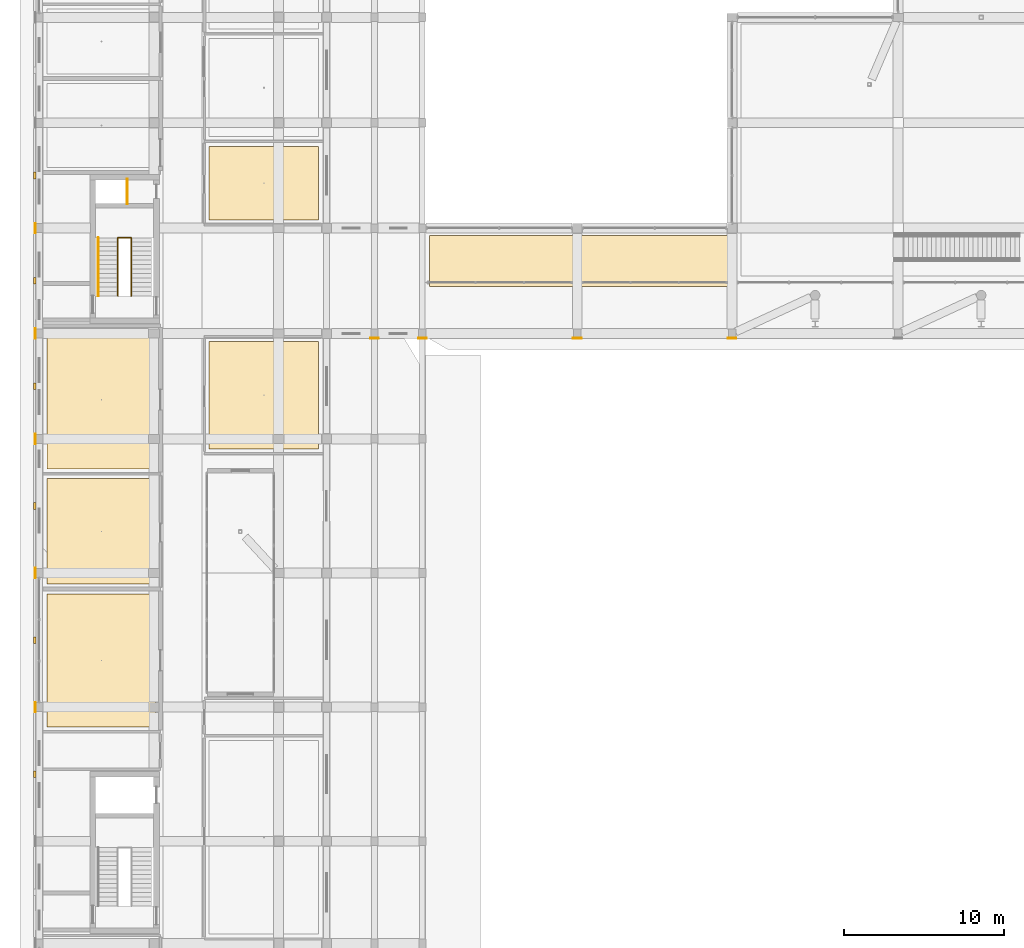
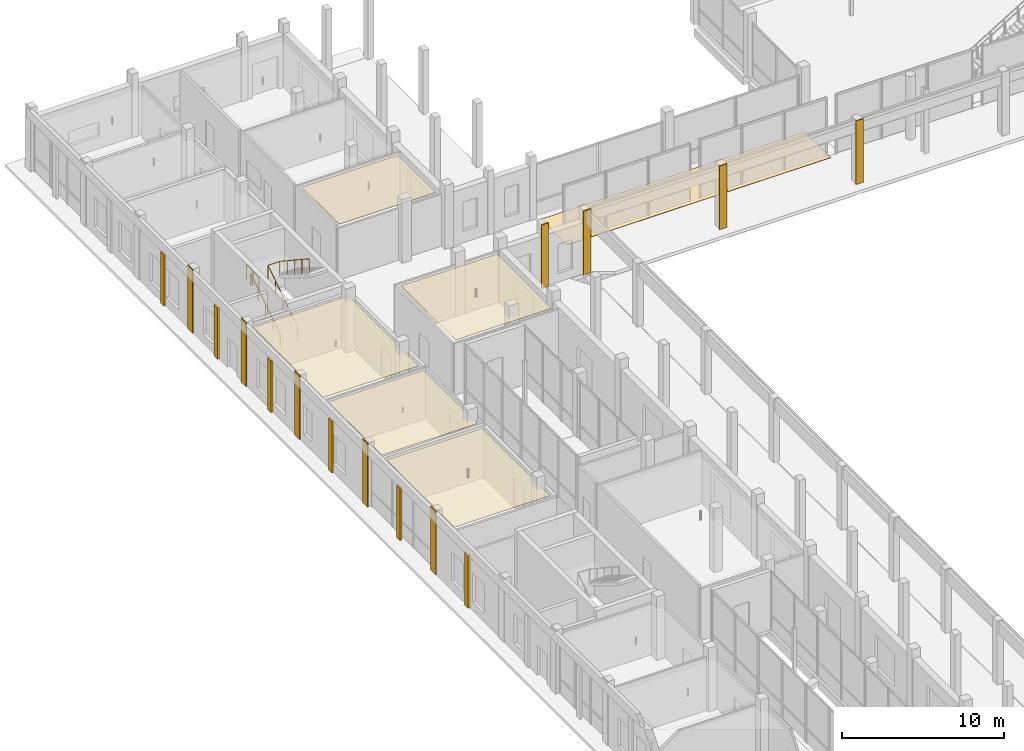
# One storey, part 75 of 88: 21 coverings, 3 railings.
"""IFC4 building model written with IfcOpenShell, lengths in metres."""

import ifcopenshell
import ifcopenshell.guid

model = None  # the IFC model being written
_history = None  # IfcOwnerHistory: only IFC2X3 demands one
_inside = {}  # id of a spatial element -> (the spatial element, [elements in it])
_under = {}  # id of a project, library or spatial element -> (it, [spatial elements below it])
_declared = {}  # id of a project -> (the project, [libraries it declares])
_typed = {}  # id of a type object -> (the type object, [elements of that type])
_made_of = {}  # id of a material, layer set ... -> (it, [elements and type objects made of it])


def new_model(schema):
    """Start an empty IFC model of exactly this schema.

    Asked for "IFC4X3", IfcOpenShell would pick the latest addendum, in which some entities
    have other attributes; the version numbers below select the first issue.
    IFC2X3 requires an IfcOwnerHistory on every rooted entity: one is made here for all.
    """
    global model, _history
    if schema == "IFC4X3":
        model = ifcopenshell.file(schema_version=(4, 3, 0, 0))
    else:
        model = ifcopenshell.file(schema=schema)
    _inside.clear()
    _under.clear()
    _declared.clear()
    _typed.clear()
    _made_of.clear()
    _history = None
    if model.schema == "IFC2X3":
        org = make("IfcOrganization", Name="unknown")
        user = make(
            "IfcPersonAndOrganization",
            ThePerson=make("IfcPerson", FamilyName="unknown"),
            TheOrganization=org,
        )
        app = make(
            "IfcApplication",
            ApplicationDeveloper=org,
            Version="unknown",
            ApplicationFullName="unknown",
            ApplicationIdentifier="unknown",
        )
        _history = make(
            "IfcOwnerHistory",
            OwningUser=user,
            OwningApplication=app,
            ChangeAction="ADDED",
            CreationDate=0,
        )
    return model


def make(cls, **values):
    """One entity of the class cls with the attributes given. An attribute that is None is left unset."""
    return model.create_entity(
        cls, **{name: value for name, value in values.items() if value is not None}
    )


def rooted(cls, **values):
    """An entity with a GlobalId (a new one), such as an element, a storey or a relation."""
    return make(cls, GlobalId=ifcopenshell.guid.new(), OwnerHistory=_history, **values)


def si_unit(unit_type, name, prefix=None):
    """IfcSIUnit, for example si_unit("LENGTHUNIT", "METRE", prefix="MILLI")."""
    return make("IfcSIUnit", UnitType=unit_type, Prefix=prefix, Name=name)


def derived_unit(unit_type, elements):
    """IfcDerivedUnit: a product of units, each with its exponent."""
    return make(
        "IfcDerivedUnit",
        Elements=[
            make("IfcDerivedUnitElement", Unit=unit, Exponent=power)
            for unit, power in elements
        ],
        UnitType=unit_type,
    )


def assignment(units):
    """IfcUnitAssignment: the units of a project."""
    return None if units is None else make("IfcUnitAssignment", Units=units)


def point(xyz):
    """IfcCartesianPoint."""
    return None if xyz is None else make("IfcCartesianPoint", Coordinates=xyz)


def direction(xyz):
    """IfcDirection."""
    return None if xyz is None else make("IfcDirection", DirectionRatios=xyz)


def frame(location, z_axis=None, x_axis=None):
    """IfcAxis2Placement3D, a coordinate frame: its origin and axes. An axis left out is left unset."""
    return make(
        "IfcAxis2Placement3D",
        Location=point(location),
        Axis=direction(z_axis),
        RefDirection=direction(x_axis),
    )


def frame_2d(location, x_axis=None):
    """IfcAxis2Placement2D, a coordinate frame in the plane: its origin and x axis."""
    return make(
        "IfcAxis2Placement2D", Location=point(location), RefDirection=direction(x_axis)
    )


def origin():
    """The frame at (0, 0, 0) with its axes left unset."""
    return frame((0.0, 0.0, 0.0))


def origin_2d():
    """The frame at (0, 0) in the plane with its x axis left unset."""
    return frame_2d((0.0, 0.0))


def place(relative_to, where):
    """IfcLocalPlacement: puts the frame where relative to a parent placement (None: the world)."""
    return make(
        "IfcLocalPlacement", PlacementRelTo=relative_to, RelativePlacement=where
    )


def context(
    kind, dimensions, precision=None, world=None, true_north=None, identifier=None
):
    """IfcGeometricRepresentationContext, for example the 3D "Model" context."""
    return make(
        "IfcGeometricRepresentationContext",
        ContextIdentifier=identifier,
        ContextType=kind,
        CoordinateSpaceDimension=dimensions,
        Precision=precision,
        WorldCoordinateSystem=world,
        TrueNorth=true_north,
    )


def subcontext(parent, identifier, kind, view, scale=None):
    """IfcGeometricRepresentationSubContext, for example "Body" below "Model"."""
    return make(
        "IfcGeometricRepresentationSubContext",
        ContextIdentifier=identifier,
        ContextType=kind,
        ParentContext=parent,
        TargetScale=scale,
        TargetView=view,
    )


def project(units=None, contexts=None):
    """IfcProject with its units and contexts."""
    return rooted(
        "IfcProject",
        Name="project",
        RepresentationContexts=contexts,
        UnitsInContext=assignment(units),
    )


def spatial(cls, under=None, at=None, **own):
    """A site, building, storey or space (cls), placed at a placement, below another one or the project."""
    s = rooted(cls, ObjectPlacement=at, **own)
    if under is not None:
        _under.setdefault(under.id(), (under, []))[1].append(s)
    return s


def polyline(points):
    """IfcPolyline through the points."""
    return make("IfcPolyline", Points=[point(p) for p in points])


def profile(cls, at=None, kind="AREA", **sizes):
    """A parametric profile (cls). Its sizes go by their IFC names, for example OverallWidth=200.0."""
    return make(cls, ProfileType=kind, Position=at, **sizes)


def rectangle(**sizes):
    """IfcRectangleProfileDef."""
    return profile("IfcRectangleProfileDef", **sizes)


def circle(**sizes):
    """IfcCircleProfileDef."""
    return profile("IfcCircleProfileDef", **sizes)


def outline(outer, holes=None, kind="AREA"):
    """IfcArbitraryClosedProfileDef: a profile drawn as a closed curve; with holes, ...WithVoids."""
    if holes is None:
        return make("IfcArbitraryClosedProfileDef", ProfileType=kind, OuterCurve=outer)
    return make(
        "IfcArbitraryProfileDefWithVoids",
        ProfileType=kind,
        OuterCurve=outer,
        InnerCurves=holes,
    )


def extrude(swept, where, along, depth):
    """IfcExtrudedAreaSolid: the profile swept, set in the frame where, extruded along a direction by depth."""
    return make(
        "IfcExtrudedAreaSolid",
        SweptArea=swept,
        Position=where,
        ExtrudedDirection=direction(along),
        Depth=depth,
    )


def shape(context_of_items, identifier, shape_type, items):
    """IfcShapeRepresentation: the items that make up one representation, for example the "Body"."""
    return make(
        "IfcShapeRepresentation",
        ContextOfItems=context_of_items,
        RepresentationIdentifier=identifier,
        RepresentationType=shape_type,
        Items=items,
    )


def material(Name=None, Category=None):
    """IfcMaterial."""
    return make("IfcMaterial", Name=Name, Category=Category)


def layer(
    of_material, thickness, ventilated=None, Name=None, Category=None, Priority=None
):
    """IfcMaterialLayer: one layer of a wall or slab, of a material (None: an air gap)."""
    return make(
        "IfcMaterialLayer",
        Material=of_material,
        LayerThickness=thickness,
        IsVentilated=ventilated,
        Name=Name,
        Category=Category,
        Priority=Priority,
    )


def layer_set(layers, Name=None):
    """IfcMaterialLayerSet."""
    return make("IfcMaterialLayerSet", MaterialLayers=layers, LayerSetName=Name)


def made_of(thing, what):
    """Note that an element or type object is made of a material, layer set ...; save() writes the relation."""
    if what is not None:
        _made_of.setdefault(what.id(), (what, []))[1].append(thing)
    return thing


def type_object(cls, material=None, **own):
    """A type object (cls), such as IfcWallType, which elements share."""
    return made_of(rooted(cls, **own), material)


def element(
    cls,
    number,
    at=None,
    inside=None,
    cuts=None,
    type_object=None,
    material=None,
    context=None,
    identifier="Body",
    shape_type=None,
    held_by="IfcProductDefinitionShape",
    body=None,
    shapes=None,
    **own,
):
    """One element of the class cls, such as IfcWall. Its Tag is "e" and its number.

    at: its placement. inside: the storey or other place that contains it. cuts: it is an
    opening in that element (IfcRelVoidsElement). A single representation is given by context,
    identifier, shape_type and body (its items); several are given by shapes. held_by: the class
    of the entity that holds the representations. save() writes the other relations.
    """
    e = rooted(cls, Tag="e%d" % number, ObjectPlacement=at, **own)
    if body is not None:
        shapes = [shape(context, identifier, shape_type, body)]
    if shapes is not None:
        e.Representation = make(held_by, Representations=shapes)
    if inside is not None:
        _inside.setdefault(inside.id(), (inside, []))[1].append(e)
    if cuts is not None:
        rooted(
            "IfcRelVoidsElement", RelatingBuildingElement=cuts, RelatedOpeningElement=e
        )
    if type_object is not None:
        _typed.setdefault(type_object.id(), (type_object, []))[1].append(e)
    return made_of(e, material)


def aggregate(whole, parts):
    """IfcRelAggregates: a whole, such as a stair, and the parts it consists of."""
    return rooted("IfcRelAggregates", RelatingObject=whole, RelatedObjects=parts)


def save(model, path):
    """Write the relations noted so far, then the file.

    IfcRelAggregates (storeys below a building ...), IfcRelContainedInSpatialStructure (elements
    in a storey), IfcRelDefinesByType, IfcRelAssociatesMaterial and IfcRelDeclares: one each for
    every whole, place, type object, material and project.
    """
    for whole, parts in _under.values():
        aggregate(whole, parts)
    for where, things in _inside.values():
        rooted(
            "IfcRelContainedInSpatialStructure",
            RelatedElements=things,
            RelatingStructure=where,
        )
    for kind, things in _typed.values():
        rooted("IfcRelDefinesByType", RelatedObjects=things, RelatingType=kind)
    for what, things in _made_of.values():
        rooted("IfcRelAssociatesMaterial", RelatedObjects=things, RelatingMaterial=what)
    for by, libraries in _declared.values():
        rooted("IfcRelDeclares", RelatingContext=by, RelatedDefinitions=libraries)
    model.write(path)


model = new_model("IFC4")

# Units and contexts
model_context = context("Model", 3, precision=1e-05, world=origin(), true_north=direction((0.0, 1.0)))
body_context = subcontext(model_context, "Body", "Model", "MODEL_VIEW")
ifc_project = project(units=[si_unit("LENGTHUNIT", "METRE"), si_unit("AREAUNIT", "SQUARE_METRE"), si_unit("VOLUMEUNIT", "CUBIC_METRE"), si_unit("PLANEANGLEUNIT", "RADIAN"), si_unit("MASSUNIT", "GRAM", prefix="KILO"), derived_unit("THERMALTRANSMITTANCEUNIT", [(si_unit("POWERUNIT", "WATT"), 1), (si_unit("LENGTHUNIT", "METRE"), -2), (si_unit("THERMODYNAMICTEMPERATUREUNIT", "KELVIN"), -1)])], contexts=[model_context])

# Site, building, storey
site_placement = place(None, origin())
site = spatial("IfcSite", under=ifc_project, at=site_placement, CompositionType="ELEMENT")
building_placement = place(site_placement, origin())
building = spatial("IfcBuilding", under=site, at=building_placement, Name="Braskholm Square Health Centre", CompositionType="ELEMENT")
storey_placement = place(building_placement, origin())
storey = spatial("IfcBuildingStorey", under=building, at=storey_placement, Name="L01", CompositionType="ELEMENT", Elevation=0.0)

# Coverings
ifc_material_1 = material(Name="Fire-rated gypsum board barrier")
ifc_layer_1 = layer(ifc_material_1, 0.02490234375)
ifc_layer_set_1 = layer_set([ifc_layer_1], Name="Fire-rated gypsum board barrier")
covering_type_1 = type_object("IfcCoveringType", Name="AcousticClinicalCeilingTile", PredefinedType="CEILING", material=ifc_layer_set_1)
covering_1_placement = place(storey_placement, frame((0.0, 0.0, 3.864990234375)))
element("IfcCovering", 1, at=covering_1_placement, inside=storey, type_object=covering_type_1, Name="Acoustic ceiling L01-028", PredefinedType="CEILING", context=body_context, shape_type="SweptSolid", body=[
    extrude(outline(polyline([(4.705078125, 62.550048828125), (11.5, 62.550048828125), (11.5, 70.89990234375), (4.705078125, 70.89990234375), (4.705078125, 62.550048828125)])), origin(), (0.0, 0.0, 1.0), 0.02490234375),
])
covering_2_placement = place(storey_placement, frame((0.0, 0.0, 3.864990234375)))
element("IfcCovering", 2, at=covering_2_placement, inside=storey, type_object=covering_type_1, Name="Acoustic ceiling L01-029", PredefinedType="CEILING", context=body_context, shape_type="SweptSolid", body=[
    extrude(outline(polyline([(4.705078125, 71.5), (11.5, 71.5), (11.5, 78.110107421875), (4.705078125, 78.110107421875), (4.705078125, 71.5)])), origin(), (0.0, 0.0, 1.0), 0.02490234375),
])
covering_3_placement = place(storey_placement, frame((0.0, 0.0, 3.8349609375)))
element("IfcCovering", 3, at=covering_3_placement, inside=storey, type_object=covering_type_1, Name="Acoustic ceiling L01-030", PredefinedType="CEILING", context=body_context, shape_type="SweptSolid", body=[
    extrude(outline(polyline([(4.705078125, 78.7099609375), (11.5, 78.7099609375), (11.5, 87.39990234375), (4.705078125, 87.39990234375), (4.705078125, 78.7099609375)])), origin(), (0.0, 0.0, 1.0), 0.025146484375),
])
covering_4_placement = place(storey_placement, frame((0.0, 0.0, 3.8349609375)))
element("IfcCovering", 4, at=covering_4_placement, inside=storey, type_object=covering_type_1, Name="Acoustic ceiling L01-041", PredefinedType="CEILING", context=body_context, shape_type="SweptSolid", body=[
    extrude(outline(polyline([(14.85009765625, 79.97998046875), (21.695068359375, 79.97998046875), (21.695068359375, 86.699951171875), (14.85009765625, 86.699951171875), (14.85009765625, 79.97998046875)])), origin(), (0.0, 0.0, 1.0), 0.025146484375),
])
covering_5_placement = place(storey_placement, frame((0.0, 0.0, 3.864990234375)))
element("IfcCovering", 5, at=covering_5_placement, inside=storey, type_object=covering_type_1, Name="Acoustic ceiling L01-042", PredefinedType="CEILING", context=body_context, shape_type="SweptSolid", body=[
    extrude(outline(polyline([(14.85009765625, 94.300048828125), (21.695068359375, 94.300048828125), (21.695068359375, 98.929931640625), (14.85009765625, 98.929931640625), (14.85009765625, 94.300048828125)])), origin(), (0.0, 0.0, 1.0), 0.02490234375),
])

# Railings
ifc_material_2 = material(Name="Dark patinated chevron architectural bronze", Category="aluminium")
railing_type_1 = type_object("IfcRailingType", Name="BronzeChevronGuardrail1100", PredefinedType="GUARDRAIL", material=ifc_material_2)
railing_1_placement = place(storey_placement, frame((9.719970703125, 95.320068359375, 0.0)))
element("IfcRailing", 6, at=railing_1_placement, inside=storey, type_object=railing_type_1, Name="Core K3 riser shaft maintenance guard L01", PredefinedType="GUARDRAIL", context=body_context, shape_type="SweptSolid", body=[
    extrude(circle(Radius=0.02392578125, at=origin_2d()), frame((0.0, 0.0, 1.076171875), z_axis=(0.0, 1.0, 0.0), x_axis=(-1.0, 0.0, 0.0)), (0.0, 0.0, 1.0), 1.559814453125),
    extrude(circle(Radius=0.02099609375, at=origin_2d()), origin(), (0.0, 0.0, 1.0), 1.052001953125),
    extrude(circle(Radius=0.02099609375, at=origin_2d()), frame((0.0, 0.77978515625, 0.0)), (0.0, 0.0, 1.0), 1.052001953125),
    extrude(circle(Radius=0.02099609375, at=origin_2d()), frame((0.0, 1.559814453125, 0.0)), (0.0, 0.0, 1.0), 1.052001953125),
])
railing_2_placement = place(storey_placement, frame((9.1298828125, 89.56005859375, 0.0)))
element("IfcRailing", 7, at=railing_2_placement, inside=storey, type_object=railing_type_1, Name="Stair ST-03 inner well guardrail L01", PredefinedType="GUARDRAIL", context=body_context, shape_type="SweptSolid", body=[
    extrude(circle(Radius=0.02392578125, at=origin_2d()), frame((0.0, 0.0, 1.076171875), z_axis=(0.0, 0.834865213223, 0.550454426587), x_axis=(-1.0, 0.0, 0.0)), (0.0, 0.0, 1.0), 4.35986328125),
    extrude(circle(Radius=0.02392578125, at=origin_2d()), frame((0.0, 3.639892578125, 3.47607421875), z_axis=(1.0, 0.0, 0.0), x_axis=(0.0, 1.0, 0.0)), (0.0, 0.0, 1.0), 0.840087890625),
    extrude(circle(Radius=0.02392578125, at=origin_2d()), frame((0.840087890625, 3.639892578125, 3.47607421875), z_axis=(0.0, -0.834839479206, 0.550493454965), x_axis=(1.0, 0.0, 0.0)), (0.0, 0.0, 1.0), 4.360107421875),
    extrude(circle(Radius=0.02099609375, at=origin_2d()), origin(), (0.0, 0.0, 1.0), 1.052001953125),
    extrude(circle(Radius=0.02099609375, at=origin_2d()), frame((0.0, 0.909912109375, 0.60009765625)), (0.0, 0.0, 1.0), 1.052001953125),
    extrude(circle(Radius=0.02099609375, at=origin_2d()), frame((0.0, 1.81982421875, 1.199951171875)), (0.0, 0.0, 1.0), 1.052001953125),
    extrude(circle(Radius=0.02099609375, at=origin_2d()), frame((0.0, 2.72998046875, 1.7998046875)), (0.0, 0.0, 1.0), 1.052001953125),
    extrude(circle(Radius=0.02099609375, at=origin_2d()), frame((0.0, 3.639892578125, 2.39990234375)), (0.0, 0.0, 1.0), 1.052001953125),
    extrude(circle(Radius=0.02099609375, at=origin_2d()), frame((0.840087890625, 3.639892578125, 2.39990234375)), (0.0, 0.0, 1.0), 1.052001953125),
    extrude(circle(Radius=0.02099609375, at=origin_2d()), frame((0.840087890625, 2.72998046875, 3.0)), (0.0, 0.0, 1.0), 1.052001953125),
    extrude(circle(Radius=0.02099609375, at=origin_2d()), frame((0.840087890625, 1.81982421875, 3.60009765625)), (0.0, 0.0, 1.0), 1.052001953125),
    extrude(circle(Radius=0.02099609375, at=origin_2d()), frame((0.840087890625, 0.909912109375, 4.199951171875)), (0.0, 0.0, 1.0), 1.052001953125),
    extrude(circle(Radius=0.02099609375, at=origin_2d()), frame((0.840087890625, 0.0, 4.800048828125)), (0.0, 0.0, 1.0), 1.052001953125),
])

# Coverings
ifc_material_3 = material(Name="Mankato-Kasota dolomitic limestone ashlar", Category="masonry")
ifc_layer_2 = layer(ifc_material_3, 0.090087890625)
ifc_layer_set_2 = layer_set([ifc_layer_2], Name="Mankato-Kasota dolomitic limestone ashlar")
covering_type_2 = type_object("IfcCoveringType", Name="KasotaAshlarBaseCladding", PredefinedType="CLADDING", material=ifc_layer_set_2)
for number, where, z_axis, x_axis, name in (
    (8, (3.929931640625, 59.60009765625, 0.0), (0.0, 0.0, 1.0), (1.0, 0.0, 0.0), "Fluted Kasota limestone base pilaster 0388"),
    (9, (3.929931640625, 68.0, 0.0), (0.0, 0.0, 1.0), (1.0, 0.0, 0.0), "Fluted Kasota limestone base pilaster 0389"),
):
    element("IfcCovering", number, at=place(storey_placement, frame(where, z_axis=z_axis, x_axis=x_axis)), inside=storey, type_object=covering_type_2, Name=name, PredefinedType="CLADDING", context=body_context, shape_type="SweptSolid", body=[
        extrude(rectangle(XDim=0.159912109375, YDim=0.419921875, at=origin_2d()), origin(), (0.0, 0.0, 1.0), 3.949951171875),
    ])
for number, where, z_axis, x_axis, name in (
    (10, (3.929931640625, 76.39990234375, 0.0), (0.0, 0.0, 1.0), (1.0, 0.0, 0.0), "Fluted Kasota limestone base pilaster 0390"),
    (11, (3.929931640625, 83.89990234375, 0.0), (0.0, 0.0, 1.0), (1.0, 0.0, 0.0), "Fluted Kasota limestone base pilaster 0391"),
    (12, (3.929931640625, 90.5, 0.0), (0.0, 0.0, 1.0), (1.0, 0.0, 0.0), "Fluted Kasota limestone base pilaster 0392"),
    (13, (3.929931640625, 97.10009765625, 0.0), (0.0, 0.0, 1.0), (1.0, 0.0, 0.0), "Fluted Kasota limestone base pilaster 0393"),
):
    element("IfcCovering", number, at=place(storey_placement, frame(where, z_axis=z_axis, x_axis=x_axis)), inside=storey, type_object=covering_type_2, Name=name, PredefinedType="CLADDING", context=body_context, shape_type="SweptSolid", body=[
        extrude(rectangle(XDim=0.159912109375, YDim=0.419921875, at=origin_2d()), origin(), (0.0, 0.0, 1.0), 3.8701171875),
    ])
ifc_material_4 = material(Name="Polished geometric terrazzo flooring", Category="masonry")
ifc_layer_3 = layer(ifc_material_4, 0.02001953125)
ifc_layer_set_3 = layer_set([ifc_layer_3], Name="Polished geometric terrazzo flooring")
covering_type_3 = type_object("IfcCoveringType", Name="PolishedTerrazzoFloorFinish", PredefinedType="FLOORING", material=ifc_layer_set_3)
covering_6_placement = place(storey_placement, origin())
element("IfcCovering", 14, at=covering_6_placement, inside=storey, type_object=covering_type_3, Name="Polished terrazzo floor L01-293", PredefinedType="FLOORING", context=body_context, shape_type="SweptSolid", body=[
    extrude(outline(polyline([(28.64990234375, 90.14990234375), (47.449951171875, 90.14990234375), (47.449951171875, 93.35009765625), (28.64990234375, 93.35009765625), (28.64990234375, 90.14990234375)])), origin(), (0.0, 0.0, 1.0), 0.02001953125),
])
ifc_material_5 = material(Name="Precast concrete C40/50 architectural white", Category="concrete")
ifc_layer_4 = layer(ifc_material_5, 0.054931640625)
ifc_layer_set_4 = layer_set([ifc_layer_4], Name="Precast concrete C40/50 architectural white")
covering_type_4 = type_object("IfcCoveringType", Name="PrecastWhiteColumnCasing", PredefinedType="CLADDING", material=ifc_layer_set_4)
for number, where, z_axis, x_axis, name in (
    (15, (3.945068359375, 63.800048828125, 0.0), (0.0, 0.0, 1.0), (1.0, 0.0, 0.0), "Giant-order white precast column casing 0082"),
    (16, (3.945068359375, 72.199951171875, 0.0), (0.0, 0.0, 1.0), (1.0, 0.0, 0.0), "Giant-order white precast column casing 0091"),
    (17, (3.945068359375, 80.60009765625, 0.0), (0.0, 0.0, 1.0), (1.0, 0.0, 0.0), "Giant-order white precast column casing 0100"),
    (18, (3.945068359375, 87.199951171875, 0.0), (0.0, 0.0, 1.0), (1.0, 0.0, 0.0), "Giant-order white precast column casing 0109"),
    (19, (3.945068359375, 93.800048828125, 0.0), (0.0, 0.0, 1.0), (1.0, 0.0, 0.0), "Giant-order white precast column casing 0118"),
):
    element("IfcCovering", number, at=place(storey_placement, frame(where, z_axis=z_axis, x_axis=x_axis)), inside=storey, type_object=covering_type_4, Name=name, PredefinedType="CLADDING", context=body_context, shape_type="SweptSolid", body=[
        extrude(rectangle(XDim=0.06005859375, YDim=0.639892578125, at=origin_2d()), origin(), (0.0, 0.0, 1.0), 4.800048828125),
    ])
covering_7_placement = place(storey_placement, frame((25.199951171875, 86.905029296875, 0.0), z_axis=(0.0, 0.0, 1.0), x_axis=(1.0, 0.0, 0.0)))
element("IfcCovering", 20, at=covering_7_placement, inside=storey, type_object=covering_type_4, Name="Giant-order white precast column casing 0182", PredefinedType="CLADDING", context=body_context, shape_type="SweptSolid", body=[
    extrude(rectangle(XDim=0.52001953125, YDim=0.06005859375, at=origin_2d()), origin(), (0.0, 0.0, 1.0), 4.800048828125),
])
for number, where, z_axis, x_axis, name in (
    (21, (28.199951171875, 86.89501953125, 0.0), (0.0, 0.0, 1.0), (1.0, 0.0, 0.0), "Giant-order white precast column casing 0185"),
    (22, (37.89990234375, 86.89501953125, 0.0), (0.0, 0.0, 1.0), (1.0, 0.0, 0.0), "Giant-order white precast column casing 0188"),
    (23, (47.60009765625, 86.89501953125, 0.0), (0.0, 0.0, 1.0), (1.0, 0.0, 0.0), "Giant-order white precast column casing 0191"),
):
    element("IfcCovering", number, at=place(storey_placement, frame(where, z_axis=z_axis, x_axis=x_axis)), inside=storey, type_object=covering_type_4, Name=name, PredefinedType="CLADDING", context=body_context, shape_type="SweptSolid", body=[
        extrude(rectangle(XDim=0.5400390625, YDim=0.06005859375, at=origin_2d()), origin(), (0.0, 0.0, 1.0), 4.800048828125),
    ])

# Railing
railing_type_2 = type_object("IfcRailingType", Name="StairTubularHandrail915", PredefinedType="HANDRAIL", material=ifc_material_2)
railing_3_placement = place(storey_placement, frame((7.89990234375, 89.56005859375, 0.0)))
element("IfcRailing", 24, at=railing_3_placement, inside=storey, type_object=railing_type_2, Name="Stair ST-03 wall handrail F1 L01", PredefinedType="HANDRAIL", context=body_context, shape_type="SweptSolid", body=[
    extrude(circle(Radius=0.02392578125, at=origin_2d()), frame((0.0, 0.0, 0.89111328125), z_axis=(0.0, 0.834865213223, 0.550454426587), x_axis=(-1.0, 0.0, 0.0)), (0.0, 0.0, 1.0), 4.35986328125),
    extrude(circle(Radius=0.02099609375, at=origin_2d()), origin(), (0.0, 0.0, 1.0), 0.866943359375),
    extrude(circle(Radius=0.02099609375, at=origin_2d()), frame((0.0, 0.909912109375, 0.60009765625)), (0.0, 0.0, 1.0), 0.866943359375),
    extrude(circle(Radius=0.02099609375, at=origin_2d()), frame((0.0, 1.81982421875, 1.199951171875)), (0.0, 0.0, 1.0), 0.866943359375),
    extrude(circle(Radius=0.02099609375, at=origin_2d()), frame((0.0, 2.72998046875, 1.7998046875)), (0.0, 0.0, 1.0), 0.866943359375),
    extrude(circle(Radius=0.02099609375, at=origin_2d()), frame((0.0, 3.639892578125, 2.39990234375)), (0.0, 0.0, 1.0), 0.866943359375),
])

save(model, "model.ifc")
